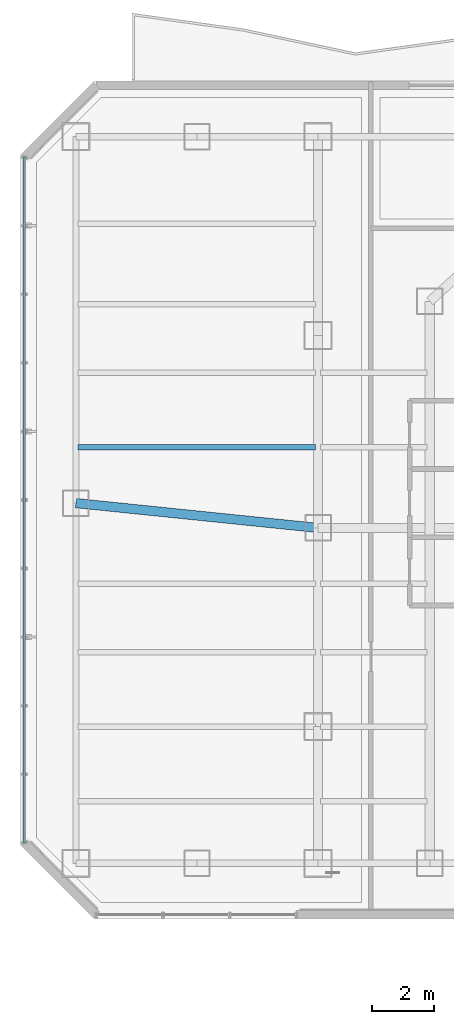
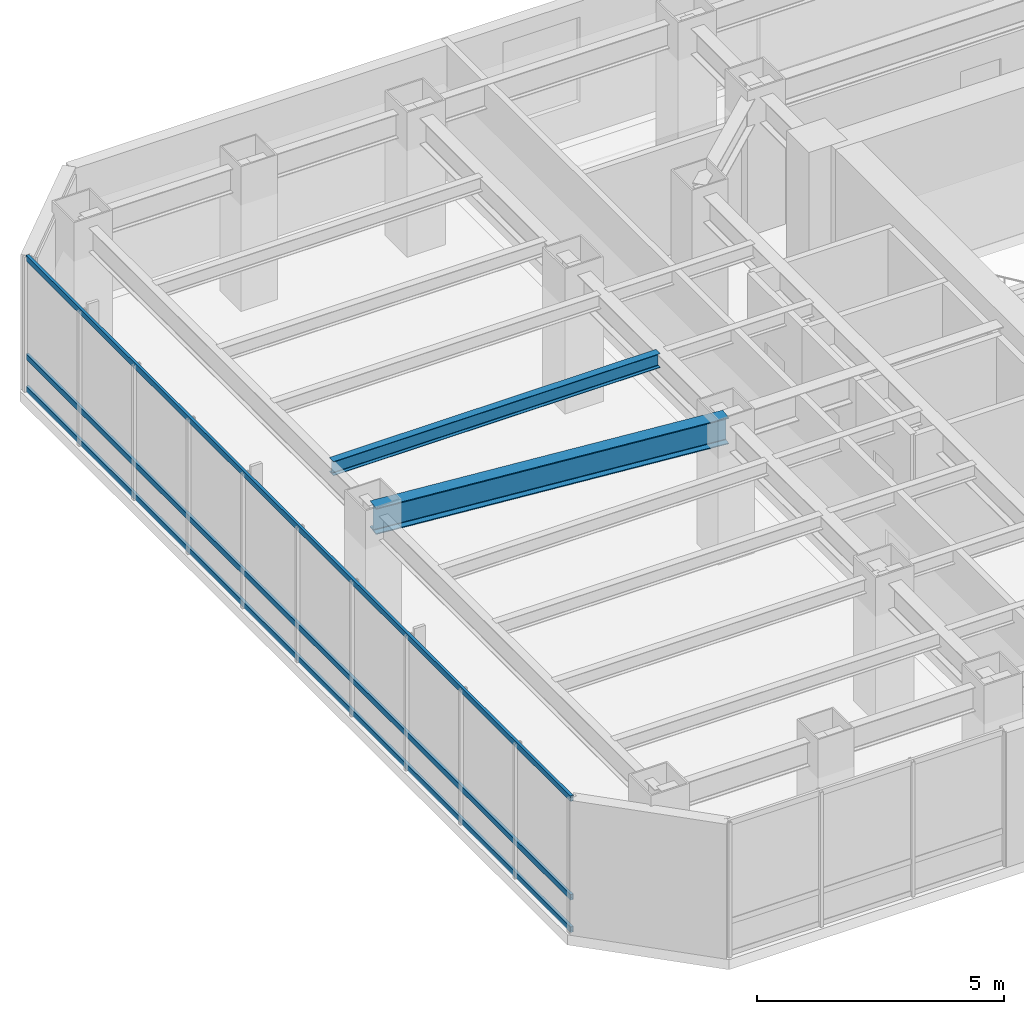
# One storey, part 14 of 29: 3 members, 2 beams, 1 element without a shape of its own.
"""IFC4 building model written with IfcOpenShell, lengths in metres."""

from ifc_helpers import new_model, si_unit, direction, frame, origin, origin_2d, place, context, subcontext, project, spatial, hollow_rectangle, i_section, extrude, material, layer, layer_set, material_profile, profile_set, type_object, element, aggregate, save


model = new_model("IFC4")

# Units and contexts
model_context = context("Model", 3, precision=1e-05, world=origin(), true_north=direction((0.0, 1.0)))
body_context = subcontext(model_context, "Body", "Model", "MODEL_VIEW")
ifc_project = project(units=[si_unit("LENGTHUNIT", "METRE"), si_unit("AREAUNIT", "SQUARE_METRE"), si_unit("VOLUMEUNIT", "CUBIC_METRE"), si_unit("PLANEANGLEUNIT", "RADIAN"), si_unit("MASSUNIT", "GRAM", prefix="KILO")], contexts=[model_context])

# Site, building, storey
site_placement = place(None, origin())
site = spatial("IfcSite", under=ifc_project, at=site_placement, CompositionType="ELEMENT")
building_placement = place(site_placement, origin())
building = spatial("IfcBuilding", under=site, at=building_placement, Name="Hatsunagi Terrace Concourse", CompositionType="ELEMENT")
storey_placement = place(building_placement, frame((0.0, 0.0, 126.449951171875)))
storey = spatial("IfcBuildingStorey", under=building, at=storey_placement, Name="L33", CompositionType="ELEMENT", Elevation=126.449951171875)

# Curtain wall, members
ifc_material_1 = material(Name="Anodised Aluminium Alloy 6063-T5", Category="aluminium")
ifc_layer = layer(ifc_material_1, 0.199951171875)
ifc_layer_set = layer_set([ifc_layer], Name="OfficeZone1_CW03")
curtain_wall_type = type_object("IfcCurtainWallType", Name="OfficeZone1_CW03", PredefinedType="NOTDEFINED", material=ifc_layer_set)
curtain_wall_placement = place(storey_placement, origin())
curtain_wall = element("IfcCurtainWall", 1, at=curtain_wall_placement, inside=storey, type_object=curtain_wall_type, Name="Unitised Curtain Wall CW-03 CW-L33-09", PredefinedType="NOTDEFINED")
ifc_material_2 = material(Name="Anodised Aluminium Alloy 6063-T5", Category="aluminium")
ifc_material_profile_1 = material_profile(ifc_material_2, hollow_rectangle(XDim=0.06494140625, YDim=0.139892578125, WallThickness=0.00390625, at=origin_2d()), Name="ALU-TRN-140x65x4")
ifc_profile_set_1 = profile_set([ifc_material_profile_1], Name="Anodised Aluminium Alloy 6063-T5")
member_type = type_object("IfcMemberType", Name="CurtainWallTransom_140x65", PredefinedType="USERDEFINED", material=ifc_profile_set_1)
member_1_placement = place(storey_placement, frame((9.739990234375, 25.85791015625, 0.050048828125), z_axis=(0.0, 1.0, 0.0), x_axis=(-1.0, 0.0, 0.0)))
member_1 = element("IfcMember", 2, at=member_1_placement, type_object=member_type, Name="Curtain Wall Transom TRN-02", ObjectType="TRANSOM", PredefinedType="USERDEFINED", context=body_context, shape_type="SweptSolid", body=[
    extrude(hollow_rectangle(XDim=0.06494140625, YDim=0.139892578125, WallThickness=0.00390625, at=origin_2d()), origin(), (0.0, 0.0, 1.0), 22.083984375),
])
member_2_placement = place(storey_placement, frame((9.739990234375, 25.85791015625, 0.85009765625), z_axis=(0.0, 1.0, 0.0), x_axis=(-1.0, 0.0, 0.0)))
member_2 = element("IfcMember", 3, at=member_2_placement, type_object=member_type, Name="Curtain Wall Transom TRN-02", ObjectType="TRANSOM", PredefinedType="USERDEFINED", context=body_context, shape_type="SweptSolid", body=[
    extrude(hollow_rectangle(XDim=0.06494140625, YDim=0.139892578125, WallThickness=0.00390625, at=origin_2d()), origin(), (0.0, 0.0, 1.0), 22.083984375),
])
member_3_placement = place(storey_placement, frame((9.739990234375, 25.85791015625, 3.2900390625), z_axis=(0.0, 1.0, 0.0), x_axis=(-1.0, 0.0, 0.0)))
member_3 = element("IfcMember", 4, at=member_3_placement, type_object=member_type, Name="Curtain Wall Transom TRN-02", ObjectType="TRANSOM", PredefinedType="USERDEFINED", context=body_context, shape_type="SweptSolid", body=[
    extrude(hollow_rectangle(XDim=0.06494140625, YDim=0.139892578125, WallThickness=0.00390625, at=origin_2d()), origin(), (0.0, 0.0, 1.0), 22.083984375),
])
aggregate(curtain_wall, [member_1, member_2, member_3])

# Beams
ifc_material_3 = material(Name="Steel SN490B", Category="steel")
ifc_material_profile_2 = material_profile(ifc_material_3, i_section(OverallWidth=0.175048828125, OverallDepth=0.35009765625, WebThickness=0.007080078125, FlangeThickness=0.010986328125, FilletRadius=0.012939453125, at=origin_2d()), Name="H-350x175x7x11")
ifc_profile_set_2 = profile_set([ifc_material_profile_2], Name="Steel SN490B")
beam_type_1 = type_object("IfcBeamType", Name="HotelJoist_H_350x175", PredefinedType="JOIST", material=ifc_profile_set_2)
beam_1_placement = place(storey_placement, frame((11.465087890625, 38.60009765625, 3.175048828125), z_axis=(1.0, 0.0, 0.0), x_axis=(0.0, 1.0, 0.0)))
element("IfcBeam", 5, at=beam_1_placement, inside=storey, type_object=beam_type_1, Name="Beam J-02 J-L33-W-11-386", PredefinedType="JOIST", context=body_context, shape_type="SweptSolid", body=[
    extrude(i_section(OverallWidth=0.175048828125, OverallDepth=0.35009765625, WebThickness=0.007080078125, FlangeThickness=0.010986328125, FilletRadius=0.012939453125, at=origin_2d()), origin(), (0.0, 0.0, 1.0), 7.64990234375),
])
ifc_material_4 = material(Name="Steel SN490B", Category="steel")
ifc_material_profile_3 = material_profile(ifc_material_4, i_section(OverallWidth=0.300048828125, OverallDepth=0.64990234375, WebThickness=0.012939453125, FlangeThickness=0.02197265625, FilletRadius=0.01806640625, at=origin_2d()), Name="H-650x300x13x22")
ifc_profile_set_3 = profile_set([ifc_material_profile_3], Name="Steel SN490B")
beam_type_2 = type_object("IfcBeamType", Name="OfficeLowGirder_H_650x300", PredefinedType="BEAM", material=ifc_profile_set_3)
beam_2_placement = place(storey_placement, frame((11.39990234375, 36.800048828125, 3.025146484375), z_axis=(0.994780871372, -0.102034395927, 0.0), x_axis=(0.102034395927, 0.994780871372, 0.0)))
element("IfcBeam", 6, at=beam_2_placement, inside=storey, type_object=beam_type_2, Name="Beam G-05 BM-L33-EW-2", PredefinedType="BEAM", context=body_context, shape_type="SweptSolid", body=[
    extrude(i_section(OverallWidth=0.300048828125, OverallDepth=0.64990234375, WebThickness=0.012939453125, FlangeThickness=0.02197265625, FilletRadius=0.01806640625, at=origin_2d()), origin(), (0.0, 0.0, 1.0), 7.841064453125),
])

save(model, "model.ifc")
